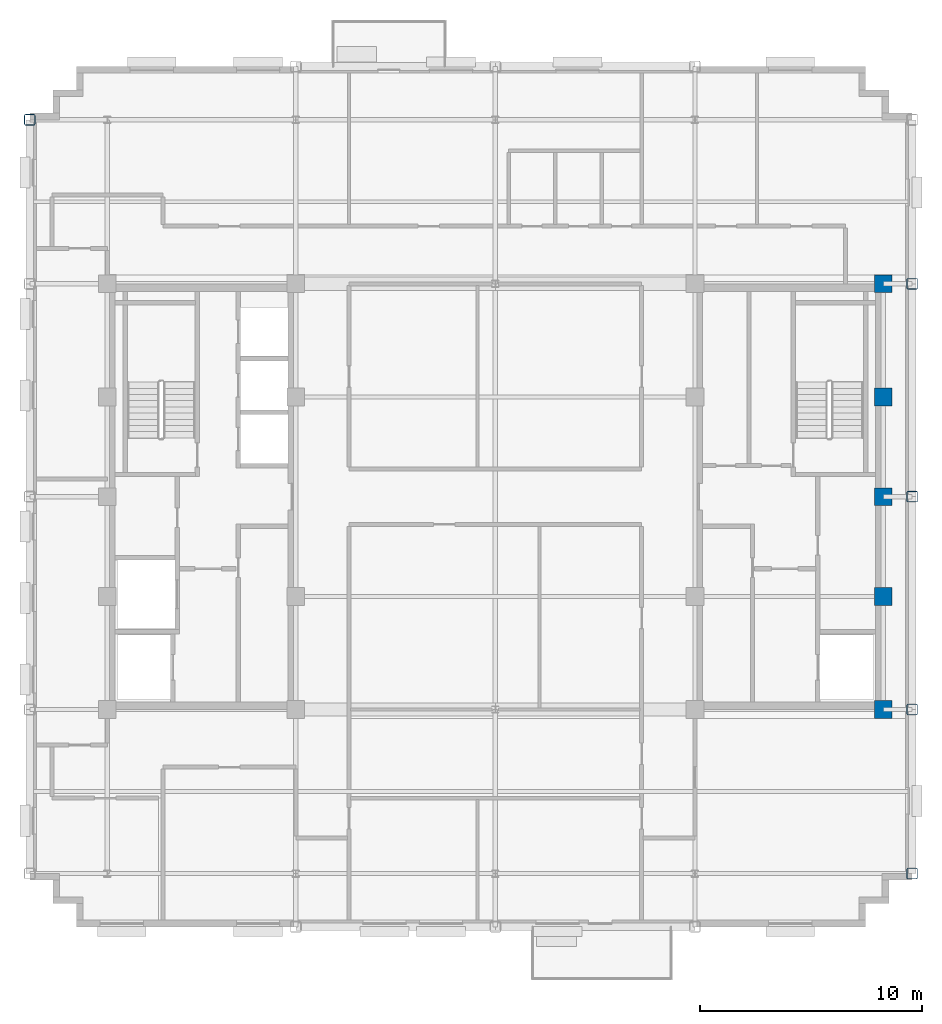
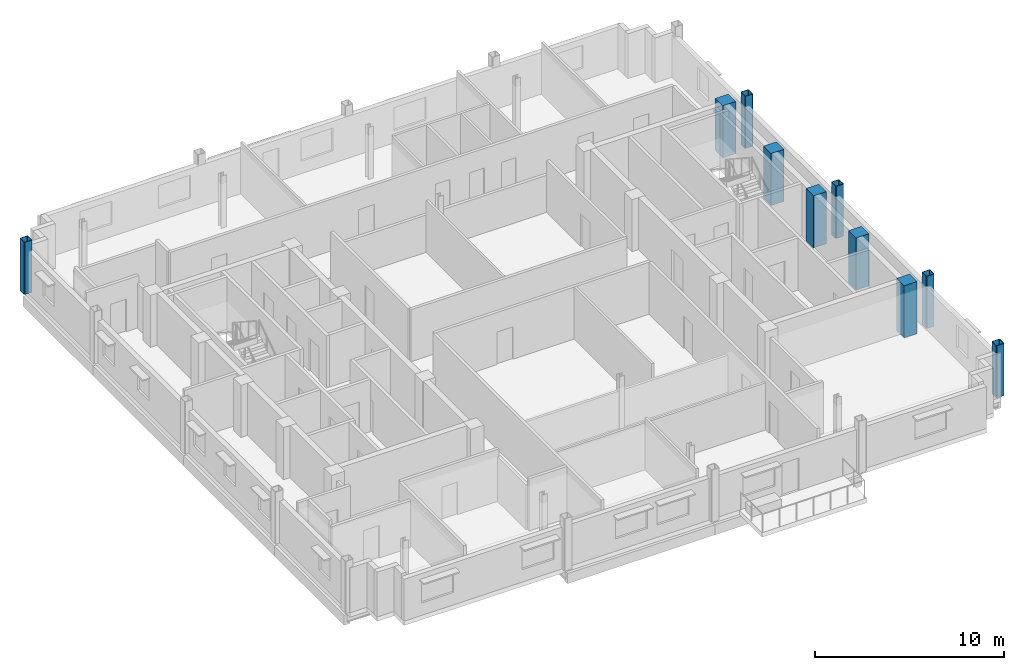
# One storey, part 2 of 13: 10 columns.
"""IFC4 building model written with IfcOpenShell, lengths in metres."""

from ifc_helpers import new_model, si_unit, direction, frame, origin, origin_2d, place, context, subcontext, project, spatial, rectangle, hollow_rectangle, extrude, material, material_profile, profile_set, type_object, element, save


model = new_model("IFC4")

# Units and contexts
model_context = context("Model", 3, precision=1e-05, world=origin(), true_north=direction((0.0, 1.0)))
body_context = subcontext(model_context, "Body", "Model", "MODEL_VIEW")
ifc_project = project(units=[si_unit("LENGTHUNIT", "METRE"), si_unit("AREAUNIT", "SQUARE_METRE"), si_unit("VOLUMEUNIT", "CUBIC_METRE"), si_unit("PLANEANGLEUNIT", "RADIAN"), si_unit("MASSUNIT", "GRAM", prefix="KILO")], contexts=[model_context])

# Site, building, storey
site_placement = place(None, origin())
site = spatial("IfcSite", under=ifc_project, at=site_placement, CompositionType="ELEMENT")
building_placement = place(site_placement, origin())
building = spatial("IfcBuilding", under=site, at=building_placement, Name="Nuvemarco Arch Tower", CompositionType="ELEMENT")
storey_placement = place(building_placement, frame((0.0, 0.0, 279.85009765625)))
storey = spatial("IfcBuildingStorey", under=building, at=storey_placement, Name="L74", CompositionType="ELEMENT", Elevation=279.85009765625)

# Columns
ifc_material_1 = material(Name="Concrete C50/60", Category="concrete")
ifc_material_profile_1 = material_profile(ifc_material_1, rectangle(XDim=0.800048828125, YDim=0.800048828125, at=origin_2d()), Name="RC-COL-800x800")
ifc_profile_set_1 = profile_set([ifc_material_profile_1], Name="Concrete C50/60")
column_type_1 = type_object("IfcColumnType", Name="COL-CORE-800", PredefinedType="COLUMN", material=ifc_profile_set_1)
for number, where, z_axis, x_axis, name in (
    (1, (17.5, -9.60009765625, 0.0), (0.0, 0.0, 1.0), (1.0, 0.0, 0.0), "L74 column CC_+17.5_-9.6"),
    (2, (17.5, -4.5, 0.0), (0.0, 0.0, 1.0), (1.0, 0.0, 0.0), "L74 column CC_+17.5_-4.5"),
    (3, (17.5, 4.5, 0.0), (0.0, 0.0, 1.0), (1.0, 0.0, 0.0), "L74 column CC_+17.5_+4.5"),
    (4, (17.5, 9.60009765625, 0.0), (0.0, 0.0, 1.0), (1.0, 0.0, 0.0), "L74 column CC_+17.5_+9.6"),
    (5, (17.5, 0.0, 0.0), (0.0, 0.0, 1.0), (1.0, 0.0, 0.0), "L74 column CC_+17.5_+0.0"),
):
    element("IfcColumn", number, at=place(storey_placement, frame(where, z_axis=z_axis, x_axis=x_axis)), inside=storey, type_object=column_type_1, Name=name, PredefinedType="COLUMN", context=body_context, shape_type="SweptSolid", body=[
        extrude(rectangle(XDim=0.800048828125, YDim=0.800048828125, at=origin_2d()), origin(), (0.0, 0.0, 1.0), 3.369873046875),
    ])
ifc_material_2 = material(Name="Steel S355", Category="steel")
ifc_material_profile_2 = material_profile(ifc_material_2, hollow_rectangle(XDim=0.5, YDim=0.5, WallThickness=0.031982421875, InnerFilletRadius=0.031982421875, OuterFilletRadius=0.06396484375, at=origin_2d()), Name="SHS500x500x32")
ifc_profile_set_2 = profile_set([ifc_material_profile_2], Name="Steel S355")
column_type_2 = type_object("IfcColumnType", Name="COL-EXO-500", PredefinedType="COLUMN", material=ifc_profile_set_2)
for number, where, z_axis, x_axis, name in (
    (6, (-21.0, 17.0, 0.0), (0.0, 0.0, 1.0), (1.0, 0.0, 0.0), "L74 column CX_-21.0_+17.0"),
    (7, (18.800048828125, -17.0, 0.0), (0.0, 0.0, 1.0), (1.0, 0.0, 0.0), "L74 column CX_+18.8_-17.0"),
    (8, (18.800048828125, -9.60009765625, 0.0), (0.0, 0.0, 1.0), (1.0, 0.0, 0.0), "L74 column CX_+18.8_-9.6"),
    (9, (18.800048828125, 0.0, 0.0), (0.0, 0.0, 1.0), (1.0, 0.0, 0.0), "L74 column CX_+18.8_+0.0"),
    (10, (18.800048828125, 9.60009765625, 0.0), (0.0, 0.0, 1.0), (1.0, 0.0, 0.0), "L74 column CX_+18.8_+9.6"),
):
    element("IfcColumn", number, at=place(storey_placement, frame(where, z_axis=z_axis, x_axis=x_axis)), inside=storey, type_object=column_type_2, Name=name, PredefinedType="COLUMN", context=body_context, shape_type="SweptSolid", body=[
        extrude(hollow_rectangle(XDim=0.5, YDim=0.5, WallThickness=0.031982421875, InnerFilletRadius=0.031982421875, OuterFilletRadius=0.06396484375, at=origin_2d()), origin(), (0.0, 0.0, 1.0), 3.369873046875),
    ])

save(model, "model.ifc")
